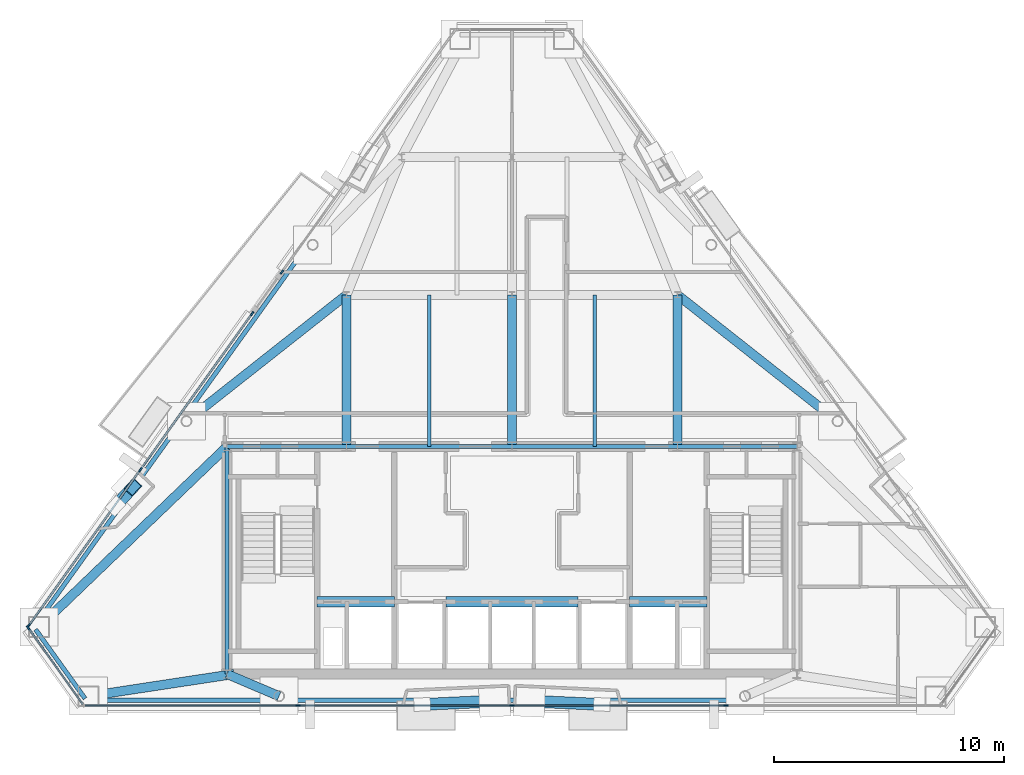
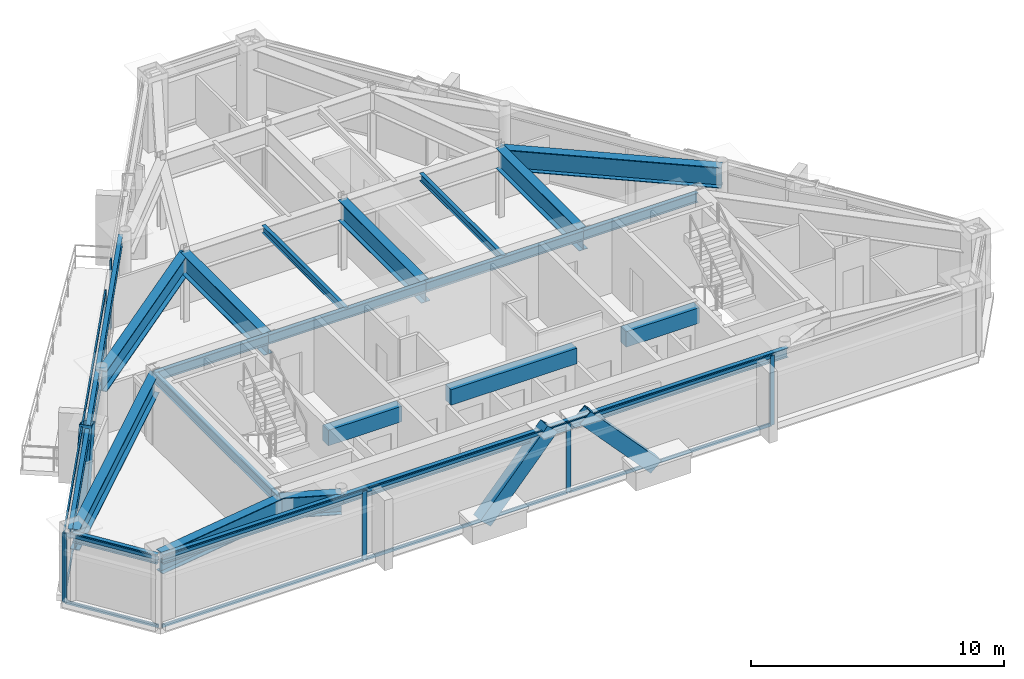
# One storey, part 4 of 12: 23 beams, 23 members, 4 elements without a shape of their own.
"""IFC4 building model written with IfcOpenShell, lengths in metres."""

from ifc_helpers import new_model, si_unit, direction, frame, origin, origin_2d, place, context, subcontext, project, spatial, rectangle, hollow_rectangle, i_section, extrude, material, layer, layer_set, material_profile, profile_set, type_object, element, aggregate, save


model = new_model("IFC4")

# Units and contexts
model_context = context("Model", 3, precision=1e-05, world=origin(), true_north=direction((0.0, 1.0)))
body_context = subcontext(model_context, "Body", "Model", "MODEL_VIEW")
ifc_project = project(units=[si_unit("LENGTHUNIT", "METRE"), si_unit("AREAUNIT", "SQUARE_METRE"), si_unit("VOLUMEUNIT", "CUBIC_METRE"), si_unit("PLANEANGLEUNIT", "RADIAN"), si_unit("MASSUNIT", "GRAM", prefix="KILO")], contexts=[model_context])

# Site, building, storey
site_placement = place(None, origin())
site = spatial("IfcSite", under=ifc_project, at=site_placement, CompositionType="ELEMENT")
building_placement = place(site_placement, origin())
building = spatial("IfcBuilding", under=site, at=building_placement, Name="Talgorran Terracotta Tower", CompositionType="ELEMENT")
storey_placement = place(building_placement, frame((0.0, 0.0, 259.800048828125)))
storey = spatial("IfcBuildingStorey", under=building, at=storey_placement, Name="L68", CompositionType="ELEMENT", Elevation=259.800048828125)

# Beams
ifc_material_1 = material(Name="Steel Grade 350 (350L0)", Category="steel")
ifc_material_profile_1 = material_profile(ifc_material_1, i_section(OverallWidth=0.39990234375, OverallDepth=1.0, WebThickness=0.01611328125, FlangeThickness=0.031005859375, at=origin_2d()), Name="1000WB296")
ifc_profile_set_1 = profile_set([ifc_material_profile_1], Name="Steel Grade 350 (350L0)")
beam_type_1 = type_object("IfcBeamType", Name="BM_1000WB296", PredefinedType="BEAM", material=ifc_profile_set_1)
beam_1_placement = place(storey_placement, frame((-10.1376953125, -15.063232421875, 2.844970703125), z_axis=(-0.920082307349, 0.391725092002, 0.0), x_axis=(-0.391725092002, -0.920082307349, 0.0)))
element("IfcBeam", 1, at=beam_1_placement, inside=storey, type_object=beam_type_1, Name="L68 South-West Core Tie Beam", PredefinedType="BEAM", context=body_context, shape_type="SweptSolid", body=[
    extrude(i_section(OverallWidth=0.39990234375, OverallDepth=1.0, WebThickness=0.01611328125, FlangeThickness=0.031005859375, at=origin_2d()), origin(), (0.0, 0.0, 1.0), 2.458740234375),
])
beam_2_placement = place(storey_placement, frame((-18.43212890625, -15.063232421875, 2.844970703125), z_axis=(0.988628941226, 0.150375585022, 0.0), x_axis=(-0.150375585022, 0.988628941226, 0.0)))
element("IfcBeam", 2, at=beam_2_placement, inside=storey, type_object=beam_type_1, Name="L68 Perimeter Step Girder 2", PredefinedType="BEAM", context=body_context, shape_type="SweptSolid", body=[
    extrude(i_section(OverallWidth=0.39990234375, OverallDepth=1.0, WebThickness=0.01611328125, FlangeThickness=0.031005859375, at=origin_2d()), origin(), (0.0, 0.0, 1.0), 6.40478515625),
])
for number, where, z_axis, x_axis, name in (
    (3, (-7.199951171875, -4.199951171875, 2.844970703125), (0.0, 1.0, 0.0), (-1.0, 0.0, 0.0), "L68 Floor Girder G01"),
    (4, (0.0, -4.199951171875, 2.844970703125), (0.0, 1.0, 0.0), (-1.0, 0.0, 0.0), "L68 Floor Girder G02"),
    (5, (7.199951171875, -4.199951171875, 2.844970703125), (0.0, 1.0, 0.0), (-1.0, 0.0, 0.0), "L68 Floor Girder G03"),
):
    element("IfcBeam", number, at=place(storey_placement, frame(where, z_axis=z_axis, x_axis=x_axis)), inside=storey, type_object=beam_type_1, Name=name, PredefinedType="BEAM", context=body_context, shape_type="SweptSolid", body=[
        extrude(i_section(OverallWidth=0.39990234375, OverallDepth=1.0, WebThickness=0.01611328125, FlangeThickness=0.031005859375, at=origin_2d()), origin(), (0.0, 0.0, 1.0), 6.599853515625),
    ])
for number, where, z_axis, x_axis, name in (
    (6, (-7.199951171875, 2.39990234375, 2.844970703125), (-0.785110763938, -0.619355381302, 0.0), (0.619355381302, -0.785110763938, 0.0), "L68 Floor Girder G06"),
    (7, (7.199951171875, 2.39990234375, 2.844970703125), (0.785110763938, -0.619355381302, 0.0), (0.619355381302, 0.785110763938, 0.0), "L68 Floor Girder G07"),
):
    element("IfcBeam", number, at=place(storey_placement, frame(where, z_axis=z_axis, x_axis=x_axis)), inside=storey, type_object=beam_type_1, Name=name, PredefinedType="BEAM", context=body_context, shape_type="SweptSolid", body=[
        extrude(i_section(OverallWidth=0.39990234375, OverallDepth=1.0, WebThickness=0.01611328125, FlangeThickness=0.031005859375, at=origin_2d()), origin(), (0.0, 0.0, 1.0), 8.878662109375),
    ])
beam_3_placement = place(storey_placement, frame((-12.39990234375, -4.199951171875, 2.844970703125), z_axis=(-0.721440209588, -0.692476731731, 0.0), x_axis=(0.692476731731, -0.721440209588, 0.0)))
element("IfcBeam", 8, at=beam_3_placement, inside=storey, type_object=beam_type_1, Name="L68 Floor Girder G17", PredefinedType="BEAM", context=body_context, shape_type="SweptSolid", body=[
    extrude(i_section(OverallWidth=0.39990234375, OverallDepth=1.0, WebThickness=0.01611328125, FlangeThickness=0.031005859375, at=origin_2d()), origin(), (0.0, 0.0, 1.0), 11.345703125),
])
ifc_material_2 = material(Name="Concrete C50/60", Category="concrete")
ifc_material_profile_2 = material_profile(ifc_material_2, rectangle(XDim=0.449951171875, YDim=0.75, at=origin_2d()), Name="RCCB450X750")
ifc_profile_set_2 = profile_set([ifc_material_profile_2], Name="Concrete C50/60")
beam_type_2 = type_object("IfcBeamType", Name="BM_CB_450X750", PredefinedType="LINTEL", material=ifc_profile_set_2)
beam_4_placement = place(storey_placement, frame((-8.47998046875, -10.949951171875, 2.969970703125), z_axis=(1.0, 0.0, 0.0), x_axis=(0.0, 1.0, 0.0)))
element("IfcBeam", 9, at=beam_4_placement, inside=storey, type_object=beam_type_2, Name="L68 Core Shear-Wall Coupling Beam CB1", PredefinedType="LINTEL", context=body_context, shape_type="SweptSolid", body=[
    extrude(rectangle(XDim=0.449951171875, YDim=0.75, at=origin_2d()), origin(), (0.0, 0.0, 1.0), 3.35986328125),
])
beam_5_placement = place(storey_placement, frame((-2.8798828125, -10.949951171875, 2.969970703125), z_axis=(1.0, 0.0, 0.0), x_axis=(0.0, 1.0, 0.0)))
element("IfcBeam", 10, at=beam_5_placement, inside=storey, type_object=beam_type_2, Name="L68 Core Shear-Wall Coupling Beam CB2", PredefinedType="LINTEL", context=body_context, shape_type="SweptSolid", body=[
    extrude(rectangle(XDim=0.449951171875, YDim=0.75, at=origin_2d()), origin(), (0.0, 0.0, 1.0), 5.759765625),
])
beam_6_placement = place(storey_placement, frame((5.1201171875, -10.949951171875, 2.969970703125), z_axis=(1.0, 0.0, 0.0), x_axis=(0.0, 1.0, 0.0)))
element("IfcBeam", 11, at=beam_6_placement, inside=storey, type_object=beam_type_2, Name="L68 Core Shear-Wall Coupling Beam CB3", PredefinedType="LINTEL", context=body_context, shape_type="SweptSolid", body=[
    extrude(rectangle(XDim=0.449951171875, YDim=0.75, at=origin_2d()), origin(), (0.0, 0.0, 1.0), 3.35986328125),
])
ifc_material_3 = material(Name="Steel S355 (300PLUS)", Category="steel")
ifc_material_profile_3 = material_profile(ifc_material_3, i_section(OverallWidth=0.17138671875, OverallDepth=0.355712890625, WebThickness=0.00732421875, FlangeThickness=0.011474609375, at=origin_2d()), Name="360UB50.7")
ifc_profile_set_3 = profile_set([ifc_material_profile_3], Name="Steel S355 (300PLUS)")
beam_type_3 = type_object("IfcBeamType", Name="BM_JS_360UB51", PredefinedType="JOIST", material=ifc_profile_set_3)
for number, where, z_axis, x_axis, name in (
    (12, (-3.60009765625, -4.199951171875, 3.167236328125), (0.0, 1.0, 0.0), (-1.0, 0.0, 0.0), "L68 Secondary Joist J01"),
    (13, (3.60009765625, -4.199951171875, 3.167236328125), (0.0, 1.0, 0.0), (-1.0, 0.0, 0.0), "L68 Secondary Joist J02"),
):
    element("IfcBeam", number, at=place(storey_placement, frame(where, z_axis=z_axis, x_axis=x_axis)), inside=storey, type_object=beam_type_3, Name=name, PredefinedType="JOIST", context=body_context, shape_type="SweptSolid", body=[
        extrude(i_section(OverallWidth=0.17138671875, OverallDepth=0.355712890625, WebThickness=0.00732421875, FlangeThickness=0.011474609375, at=origin_2d()), origin(), (0.0, 0.0, 1.0), 6.599853515625),
    ])
ifc_material_profile_4 = material_profile(ifc_material_3, i_section(OverallWidth=0.18994140625, OverallDepth=0.45703125, WebThickness=0.009033203125, FlangeThickness=0.014404296875, at=origin_2d()), Name="460UB74.6")
ifc_profile_set_4 = profile_set([ifc_material_profile_4], Name="Steel S355 (300PLUS)")
beam_type_4 = type_object("IfcBeamType", Name="BM_SP_460UB74", PredefinedType="SPANDREL", material=ifc_profile_set_4)
beam_7_placement = place(storey_placement, frame((-20.7314453125, -12.16162109375, 3.116455078125), z_axis=(0.582224487769, -0.813028071989, 0.0), x_axis=(0.813028071989, 0.582224487769, 0.0)))
element("IfcBeam", 14, at=beam_7_placement, inside=storey, type_object=beam_type_4, Name="L68 Perimeter Spandrel Beam MC1-MC2", PredefinedType="SPANDREL", context=body_context, shape_type="SweptSolid", body=[
    extrude(i_section(OverallWidth=0.18994140625, OverallDepth=0.45703125, WebThickness=0.009033203125, FlangeThickness=0.014404296875, at=origin_2d()), origin(), (0.0, 0.0, 1.0), 3.697998046875),
])
beam_8_placement = place(storey_placement, frame((-18.43212890625, -15.243408203125, 3.116455078125), z_axis=(1.0, 0.0, 0.0), x_axis=(0.0, 1.0, 0.0)))
element("IfcBeam", 15, at=beam_8_placement, inside=storey, type_object=beam_type_4, Name="L68 Perimeter Spandrel Beam MC2-FC1", PredefinedType="SPANDREL", context=body_context, shape_type="SweptSolid", body=[
    extrude(i_section(OverallWidth=0.18994140625, OverallDepth=0.45703125, WebThickness=0.009033203125, FlangeThickness=0.014404296875, at=origin_2d()), origin(), (0.0, 0.0, 1.0), 8.29443359375),
])
beam_9_placement = place(storey_placement, frame((-10.1376953125, -15.243408203125, 3.116455078125), z_axis=(1.0, 0.0, 0.0), x_axis=(0.0, 1.0, 0.0)))
element("IfcBeam", 16, at=beam_9_placement, inside=storey, type_object=beam_type_4, Name="L68 Perimeter Spandrel Beam FC1-FC2", PredefinedType="SPANDREL", context=body_context, shape_type="SweptSolid", body=[
    extrude(i_section(OverallWidth=0.18994140625, OverallDepth=0.45703125, WebThickness=0.009033203125, FlangeThickness=0.014404296875, at=origin_2d()), origin(), (0.0, 0.0, 1.0), 20.275390625),
])
beam_10_placement = place(storey_placement, frame((-8.81884765625, 4.683837890625, 3.116455078125), z_axis=(-0.582203768418, -0.813042909102, 0.0), x_axis=(0.813042909102, -0.582203768418, 0.0)))
element("IfcBeam", 17, at=beam_10_placement, inside=storey, type_object=beam_type_4, Name="L68 Perimeter Spandrel Beam FC5-FC6", PredefinedType="SPANDREL", context=body_context, shape_type="SweptSolid", body=[
    extrude(i_section(OverallWidth=0.18994140625, OverallDepth=0.45703125, WebThickness=0.009033203125, FlangeThickness=0.014404296875, at=origin_2d()), origin(), (0.0, 0.0, 1.0), 9.443603515625),
])
beam_11_placement = place(storey_placement, frame((-14.31689453125, -2.994140625, 3.116455078125), z_axis=(-0.58220828918, -0.813039671855, 0.0), x_axis=(0.813039671855, -0.58220828918, 0.0)))
element("IfcBeam", 18, at=beam_11_placement, inside=storey, type_object=beam_type_4, Name="L68 Perimeter Spandrel Beam FC6-MC1", PredefinedType="SPANDREL", context=body_context, shape_type="SweptSolid", body=[
    extrude(i_section(OverallWidth=0.18994140625, OverallDepth=0.45703125, WebThickness=0.009033203125, FlangeThickness=0.014404296875, at=origin_2d()), origin(), (0.0, 0.0, 1.0), 11.017578125),
])
beam_12_placement = place(storey_placement, frame((-12.39990234375, -14.10009765625, 3.116455078125), z_axis=(0.0, 1.0, 0.0), x_axis=(-1.0, 0.0, 0.0)))
element("IfcBeam", 19, at=beam_12_placement, inside=storey, type_object=beam_type_4, Name="L68 Core Frame Beam CFW", PredefinedType="SPANDREL", context=body_context, shape_type="SweptSolid", body=[
    extrude(i_section(OverallWidth=0.18994140625, OverallDepth=0.45703125, WebThickness=0.009033203125, FlangeThickness=0.014404296875, at=origin_2d()), origin(), (0.0, 0.0, 1.0), 9.900146484375),
])
beam_13_placement = place(storey_placement, frame((-12.39990234375, -4.199951171875, 3.116455078125), z_axis=(1.0, 0.0, 0.0), x_axis=(0.0, 1.0, 0.0)))
element("IfcBeam", 20, at=beam_13_placement, inside=storey, type_object=beam_type_4, Name="L68 Core Frame Beam CFN1", PredefinedType="SPANDREL", context=body_context, shape_type="SweptSolid", body=[
    extrude(i_section(OverallWidth=0.18994140625, OverallDepth=0.45703125, WebThickness=0.009033203125, FlangeThickness=0.014404296875, at=origin_2d()), origin(), (0.0, 0.0, 1.0), 5.199951171875),
])
for number, where, z_axis, x_axis, name in (
    (21, (-7.199951171875, -4.199951171875, 3.116455078125), (1.0, 0.0, 0.0), (0.0, 1.0, 0.0), "L68 Core Frame Beam CFN2"),
    (22, (0.0, -4.199951171875, 3.116455078125), (1.0, 0.0, 0.0), (0.0, 1.0, 0.0), "L68 Core Frame Beam CFN3"),
):
    element("IfcBeam", number, at=place(storey_placement, frame(where, z_axis=z_axis, x_axis=x_axis)), inside=storey, type_object=beam_type_4, Name=name, PredefinedType="SPANDREL", context=body_context, shape_type="SweptSolid", body=[
        extrude(i_section(OverallWidth=0.18994140625, OverallDepth=0.45703125, WebThickness=0.009033203125, FlangeThickness=0.014404296875, at=origin_2d()), origin(), (0.0, 0.0, 1.0), 7.199951171875),
    ])
beam_14_placement = place(storey_placement, frame((7.199951171875, -4.199951171875, 3.116455078125), z_axis=(1.0, 0.0, 0.0), x_axis=(0.0, 1.0, 0.0)))
element("IfcBeam", 23, at=beam_14_placement, inside=storey, type_object=beam_type_4, Name="L68 Core Frame Beam CFN4", PredefinedType="SPANDREL", context=body_context, shape_type="SweptSolid", body=[
    extrude(i_section(OverallWidth=0.18994140625, OverallDepth=0.45703125, WebThickness=0.009033203125, FlangeThickness=0.014404296875, at=origin_2d()), origin(), (0.0, 0.0, 1.0), 5.199951171875),
])

# Members
ifc_material_profile_5 = material_profile(ifc_material_1, hollow_rectangle(XDim=0.52001953125, YDim=0.659912109375, WallThickness=0.034912109375, at=origin_2d()), Name="WBOX660X520X35")
ifc_profile_set_5 = profile_set([ifc_material_profile_5], Name="Steel Grade 350 (350L0)")
member_type_1 = type_object("IfcMemberType", Name="MB_MEGA_660", PredefinedType="BRACE", material=ifc_profile_set_5)
for number, where, z_axis, x_axis, name in (
    (24, (-3.90966796875, -15.42333984375, -0.025146484375), (0.680241521472, 0.031176200411, 0.732324734659), (-0.045783017223, 0.998951407894, 0.0), "L68 Exterior Face Mega-Brace MB-3 (SWF)"),
    (25, (3.90966796875, -15.42333984375, -0.025146484375), (-0.680241521472, 0.031176200411, 0.732324734659), (-0.045783017223, -0.998951407894, 0.0), "L68 Exterior Face Mega-Brace MB-3 (SEF)"),
):
    element("IfcMember", number, at=place(storey_placement, frame(where, z_axis=z_axis, x_axis=x_axis)), inside=storey, type_object=member_type_1, Name=name, PredefinedType="BRACE", context=body_context, shape_type="SweptSolid", body=[
        extrude(hollow_rectangle(XDim=0.52001953125, YDim=0.659912109375, WallThickness=0.034912109375, at=origin_2d()), origin(), (0.0, 0.0, 1.0), 4.635986328125),
    ])
member_1_placement = place(storey_placement, frame((-17.255126953125, -6.7880859375, -0.025146484375), z_axis=(0.211573447714, 0.228384516234, 0.950303735112), x_axis=(-0.733590428143, 0.679591850847, 0.0)))
element("IfcMember", 26, at=member_1_placement, inside=storey, type_object=member_type_1, Name="L68 Exterior Face Mega-Brace MB-3 (NWL)", PredefinedType="BRACE", context=body_context, shape_type="SweptSolid", body=[
    extrude(hollow_rectangle(XDim=0.52001953125, YDim=0.659912109375, WallThickness=0.034912109375, at=origin_2d()), origin(), (0.0, 0.0, 1.0), 3.572509765625),
])

# Curtain wall, member
ifc_material_4 = material(Name="High-Wind Unitised Glazing", Category="glass")
ifc_layer = layer(ifc_material_4, 0.2099609375, Name="CW_SYS3_RES_HIGH")
ifc_layer_set = layer_set([ifc_layer], Name="High-Wind Unitised Glazing")
curtain_wall_type = type_object("IfcCurtainWallType", Name="CW_SYS3_RES_HIGH", PredefinedType="NOTDEFINED", material=ifc_layer_set)
curtain_wall_1_placement = place(storey_placement, origin())
curtain_wall_1 = element("IfcCurtainWall", 27, at=curtain_wall_1_placement, inside=storey, type_object=curtain_wall_type, Name="CW-L68-F0", PredefinedType="NOTDEFINED")
ifc_material_5 = material(Name="Architectural Aluminium 6063-T6", Category="aluminium")
ifc_material_profile_6 = material_profile(ifc_material_5, rectangle(XDim=0.070068359375, YDim=0.199951171875, at=origin_2d()), Name="CWM70X200")
ifc_profile_set_6 = profile_set([ifc_material_profile_6], Name="Architectural Aluminium 6063-T6")
member_type_2 = type_object("IfcMemberType", Name="MUL_70X200", PredefinedType="MULLION", material=ifc_profile_set_6)
member_2_placement = place(storey_placement, frame((-21.056640625, -12.085205078125, 0.0), z_axis=(0.0, 0.0, 1.0), x_axis=(0.813031401137, 0.582219838862, 0.0)))
member_2 = element("IfcMember", 28, at=member_2_placement, type_object=member_type_2, Name="CW-L68-0 mullion 1", PredefinedType="MULLION", context=body_context, shape_type="SweptSolid", body=[
    extrude(rectangle(XDim=0.070068359375, YDim=0.199951171875, at=origin_2d()), origin(), (0.0, 0.0, 1.0), 3.344970703125),
])

# Curtain wall, members
curtain_wall_2_placement = place(storey_placement, origin())
curtain_wall_2 = element("IfcCurtainWall", 29, at=curtain_wall_2_placement, inside=storey, type_object=curtain_wall_type, Name="CW-L68-F1", PredefinedType="NOTDEFINED")
member_3_placement = place(storey_placement, frame((-9.31884765625, -15.46337890625, 0.0), z_axis=(0.0, 0.0, 1.0), x_axis=(0.0, 1.0, 0.0)))
member_3 = element("IfcMember", 30, at=member_3_placement, type_object=member_type_2, Name="CW-L68-1 mullion 2", PredefinedType="MULLION", context=body_context, shape_type="SweptSolid", body=[
    extrude(rectangle(XDim=0.070068359375, YDim=0.199951171875, at=origin_2d()), origin(), (0.0, 0.0, 1.0), 3.344970703125),
])
member_4_placement = place(storey_placement, frame((0.0, -15.46337890625, 0.0), z_axis=(0.0, 0.0, 1.0), x_axis=(0.0, 1.0, 0.0)))
member_4 = element("IfcMember", 31, at=member_4_placement, type_object=member_type_2, Name="CW-L68-1 mullion 3", PredefinedType="MULLION", context=body_context, shape_type="SweptSolid", body=[
    extrude(rectangle(XDim=0.070068359375, YDim=0.199951171875, at=origin_2d()), origin(), (0.0, 0.0, 1.0), 3.344970703125),
])
member_5_placement = place(storey_placement, frame((9.31884765625, -15.46337890625, 0.0), z_axis=(0.0, 0.0, 1.0), x_axis=(0.0, 1.0, 0.0)))
member_5 = element("IfcMember", 32, at=member_5_placement, type_object=member_type_2, Name="CW-L68-1 mullion 4", PredefinedType="MULLION", context=body_context, shape_type="SweptSolid", body=[
    extrude(rectangle(XDim=0.070068359375, YDim=0.199951171875, at=origin_2d()), origin(), (0.0, 0.0, 1.0), 3.344970703125),
])

# Curtain wall, member
curtain_wall_3_placement = place(storey_placement, origin())
curtain_wall_3 = element("IfcCurtainWall", 33, at=curtain_wall_3_placement, inside=storey, type_object=curtain_wall_type, Name="CW-L68-F60", PredefinedType="NOTDEFINED")
member_6_placement = place(storey_placement, frame((-10.01318359375, 3.39404296875, 0.0), z_axis=(0.0, 0.0, 1.0), x_axis=(0.813041167998, -0.582206199848, 0.0)))
member_6 = element("IfcMember", 34, at=member_6_placement, type_object=member_type_2, Name="CW-L68-60 mullion 3", PredefinedType="MULLION", context=body_context, shape_type="SweptSolid", body=[
    extrude(rectangle(XDim=0.070068359375, YDim=0.199951171875, at=origin_2d()), origin(), (0.0, 0.0, 1.0), 3.344970703125),
])
aggregate(curtain_wall_3, [member_6])

# Curtain wall, members
curtain_wall_4_placement = place(storey_placement, origin())
curtain_wall_4 = element("IfcCurtainWall", 35, at=curtain_wall_4_placement, inside=storey, type_object=curtain_wall_type, Name="CW-L68-F61", PredefinedType="NOTDEFINED")
member_7_placement = place(storey_placement, frame((-11.311279296875, 1.5810546875, 0.0), z_axis=(0.0, 0.0, 1.0), x_axis=(0.813041450312, -0.5822058056, 0.0)))
member_7 = element("IfcMember", 36, at=member_7_placement, type_object=member_type_2, Name="CW-L68-61 mullion 1", PredefinedType="MULLION", context=body_context, shape_type="SweptSolid", body=[
    extrude(rectangle(XDim=0.070068359375, YDim=0.199951171875, at=origin_2d()), origin(), (0.0, 0.0, 1.0), 3.344970703125),
])
member_8_placement = place(storey_placement, frame((-16.17236328125, -5.20751953125, 0.0), z_axis=(0.0, 0.0, 1.0), x_axis=(0.813041450312, -0.5822058056, 0.0)))
member_8 = element("IfcMember", 37, at=member_8_placement, type_object=member_type_2, Name="CW-L68-61 mullion 2", PredefinedType="MULLION", context=body_context, shape_type="SweptSolid", body=[
    extrude(rectangle(XDim=0.070068359375, YDim=0.199951171875, at=origin_2d()), origin(), (0.0, 0.0, 1.0), 3.344970703125),
])
member_9_placement = place(storey_placement, frame((-21.033447265625, -11.995849609375, 0.0), z_axis=(0.0, 0.0, 1.0), x_axis=(0.813041450312, -0.5822058056, 0.0)))
member_9 = element("IfcMember", 38, at=member_9_placement, type_object=member_type_2, Name="CW-L68-61 mullion 3", PredefinedType="MULLION", context=body_context, shape_type="SweptSolid", body=[
    extrude(rectangle(XDim=0.070068359375, YDim=0.199951171875, at=origin_2d()), origin(), (0.0, 0.0, 1.0), 3.344970703125),
])

# Member
ifc_material_profile_7 = material_profile(ifc_material_5, rectangle(XDim=0.070068359375, YDim=0.159912109375, at=origin_2d()), Name="CWT70X160")
ifc_profile_set_7 = profile_set([ifc_material_profile_7], Name="Architectural Aluminium 6063-T6")
member_type_3 = type_object("IfcMemberType", Name="TRN_70X160", PredefinedType="USERDEFINED", material=ifc_profile_set_7)
member_10_placement = place(storey_placement, frame((-21.036376953125, -12.113525390625, 0.034912109375), z_axis=(0.582184359595, -0.813056807021, 0.0), x_axis=(0.813056807021, 0.582184359595, 0.0)))
member_10 = element("IfcMember", 39, at=member_10_placement, type_object=member_type_3, Name="CW-L68-0 transom 1.1", ObjectType="TRANSOM", PredefinedType="USERDEFINED", context=body_context, shape_type="SweptSolid", body=[
    extrude(rectangle(XDim=0.070068359375, YDim=0.159912109375, at=origin_2d()), origin(), (0.0, 0.0, 1.0), 4.050048828125),
])

member_11_placement = place(storey_placement, frame((-21.036376953125, -12.113525390625, 3.31005859375), z_axis=(0.582184359595, -0.813056807021, 0.0), x_axis=(0.813056807021, 0.582184359595, 0.0)))
member_11 = element("IfcMember", 40, at=member_11_placement, type_object=member_type_3, Name="CW-L68-0 transom 1.2", ObjectType="TRANSOM", PredefinedType="USERDEFINED", context=body_context, shape_type="SweptSolid", body=[
    extrude(rectangle(XDim=0.070068359375, YDim=0.159912109375, at=origin_2d()), origin(), (0.0, 0.0, 1.0), 4.050048828125),
])

aggregate(curtain_wall_1, [member_2, member_10, member_11])

member_12_placement = place(storey_placement, frame((-18.567626953125, -15.46337890625, 0.034912109375), z_axis=(1.0, 0.0, 0.0), x_axis=(0.0, 1.0, 0.0)))
member_12 = element("IfcMember", 41, at=member_12_placement, type_object=member_type_3, Name="CW-L68-1 transom 1.1", ObjectType="TRANSOM", PredefinedType="USERDEFINED", context=body_context, shape_type="SweptSolid", body=[
    extrude(rectangle(XDim=0.070068359375, YDim=0.159912109375, at=origin_2d()), origin(), (0.0, 0.0, 1.0), 9.2138671875),
])

member_13_placement = place(storey_placement, frame((-18.567626953125, -15.46337890625, 3.31005859375), z_axis=(1.0, 0.0, 0.0), x_axis=(0.0, 1.0, 0.0)))
member_13 = element("IfcMember", 42, at=member_13_placement, type_object=member_type_3, Name="CW-L68-1 transom 1.2", ObjectType="TRANSOM", PredefinedType="USERDEFINED", context=body_context, shape_type="SweptSolid", body=[
    extrude(rectangle(XDim=0.070068359375, YDim=0.159912109375, at=origin_2d()), origin(), (0.0, 0.0, 1.0), 9.2138671875),
])

member_14_placement = place(storey_placement, frame((-9.28369140625, -15.46337890625, 0.034912109375), z_axis=(1.0, 0.0, 0.0), x_axis=(0.0, 1.0, 0.0)))
member_14 = element("IfcMember", 43, at=member_14_placement, type_object=member_type_3, Name="CW-L68-1 transom 2.1", ObjectType="TRANSOM", PredefinedType="USERDEFINED", context=body_context, shape_type="SweptSolid", body=[
    extrude(rectangle(XDim=0.070068359375, YDim=0.159912109375, at=origin_2d()), origin(), (0.0, 0.0, 1.0), 9.248779296875),
])

member_15_placement = place(storey_placement, frame((-9.28369140625, -15.46337890625, 3.31005859375), z_axis=(1.0, 0.0, 0.0), x_axis=(0.0, 1.0, 0.0)))
member_15 = element("IfcMember", 44, at=member_15_placement, type_object=member_type_3, Name="CW-L68-1 transom 2.2", ObjectType="TRANSOM", PredefinedType="USERDEFINED", context=body_context, shape_type="SweptSolid", body=[
    extrude(rectangle(XDim=0.070068359375, YDim=0.159912109375, at=origin_2d()), origin(), (0.0, 0.0, 1.0), 9.248779296875),
])

member_16_placement = place(storey_placement, frame((0.034912109375, -15.46337890625, 0.034912109375), z_axis=(1.0, 0.0, 0.0), x_axis=(0.0, 1.0, 0.0)))
member_16 = element("IfcMember", 45, at=member_16_placement, type_object=member_type_3, Name="CW-L68-1 transom 3.1", ObjectType="TRANSOM", PredefinedType="USERDEFINED", context=body_context, shape_type="SweptSolid", body=[
    extrude(rectangle(XDim=0.070068359375, YDim=0.159912109375, at=origin_2d()), origin(), (0.0, 0.0, 1.0), 9.248779296875),
])

member_17_placement = place(storey_placement, frame((0.034912109375, -15.46337890625, 3.31005859375), z_axis=(1.0, 0.0, 0.0), x_axis=(0.0, 1.0, 0.0)))
member_17 = element("IfcMember", 46, at=member_17_placement, type_object=member_type_3, Name="CW-L68-1 transom 3.2", ObjectType="TRANSOM", PredefinedType="USERDEFINED", context=body_context, shape_type="SweptSolid", body=[
    extrude(rectangle(XDim=0.070068359375, YDim=0.159912109375, at=origin_2d()), origin(), (0.0, 0.0, 1.0), 9.248779296875),
])

aggregate(curtain_wall_2, [member_3, member_4, member_5, member_12, member_13, member_14, member_15, member_16, member_17])

member_18_placement = place(storey_placement, frame((-11.331787109375, 1.552490234375, 0.034912109375), z_axis=(-0.582208488934, -0.813039528813, 0.0), x_axis=(0.813039528813, -0.582208488934, 0.0)))
member_18 = element("IfcMember", 47, at=member_18_placement, type_object=member_type_3, Name="CW-L68-61 transom 1.1", ObjectType="TRANSOM", PredefinedType="USERDEFINED", context=body_context, shape_type="SweptSolid", body=[
    extrude(rectangle(XDim=0.070068359375, YDim=0.159912109375, at=origin_2d()), origin(), (0.0, 0.0, 1.0), 8.279296875),
])

member_19_placement = place(storey_placement, frame((-11.331787109375, 1.552490234375, 3.31005859375), z_axis=(-0.582208488934, -0.813039528813, 0.0), x_axis=(0.813039528813, -0.582208488934, 0.0)))
member_19 = element("IfcMember", 48, at=member_19_placement, type_object=member_type_3, Name="CW-L68-61 transom 1.2", ObjectType="TRANSOM", PredefinedType="USERDEFINED", context=body_context, shape_type="SweptSolid", body=[
    extrude(rectangle(XDim=0.070068359375, YDim=0.159912109375, at=origin_2d()), origin(), (0.0, 0.0, 1.0), 8.279296875),
])

member_20_placement = place(storey_placement, frame((-16.19287109375, -5.23583984375, 0.034912109375), z_axis=(-0.582188995969, -0.813053487153, 0.0), x_axis=(0.813053487153, -0.582188995969, 0.0)))
member_20 = element("IfcMember", 49, at=member_20_placement, type_object=member_type_3, Name="CW-L68-61 transom 2.1", ObjectType="TRANSOM", PredefinedType="USERDEFINED", context=body_context, shape_type="SweptSolid", body=[
    extrude(rectangle(XDim=0.070068359375, YDim=0.159912109375, at=origin_2d()), origin(), (0.0, 0.0, 1.0), 8.279296875),
])

member_21_placement = place(storey_placement, frame((-16.19287109375, -5.23583984375, 3.31005859375), z_axis=(-0.582188995969, -0.813053487153, 0.0), x_axis=(0.813053487153, -0.582188995969, 0.0)))
member_21 = element("IfcMember", 50, at=member_21_placement, type_object=member_type_3, Name="CW-L68-61 transom 2.2", ObjectType="TRANSOM", PredefinedType="USERDEFINED", context=body_context, shape_type="SweptSolid", body=[
    extrude(rectangle(XDim=0.070068359375, YDim=0.159912109375, at=origin_2d()), origin(), (0.0, 0.0, 1.0), 8.279296875),
])

aggregate(curtain_wall_4, [member_7, member_8, member_9, member_18, member_19, member_20, member_21])

save(model, "model.ifc")
